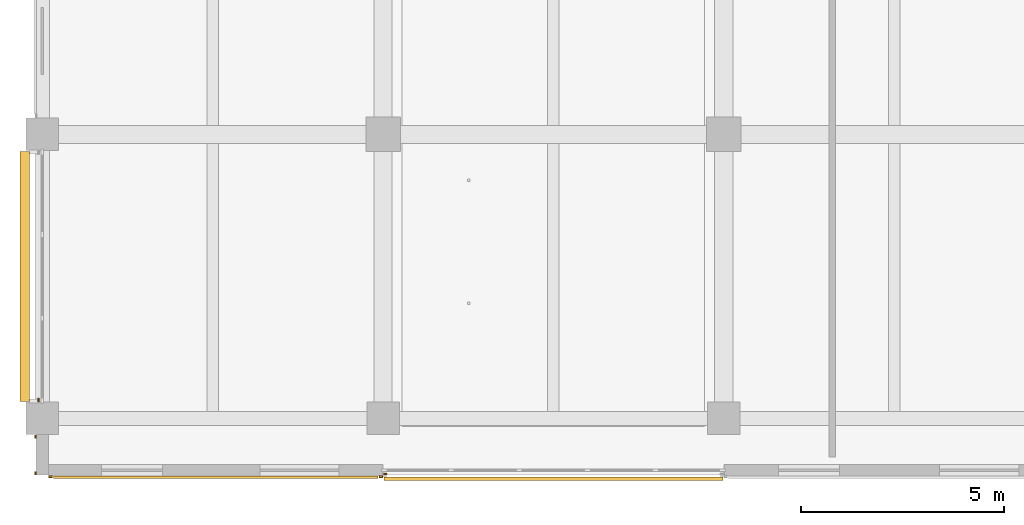
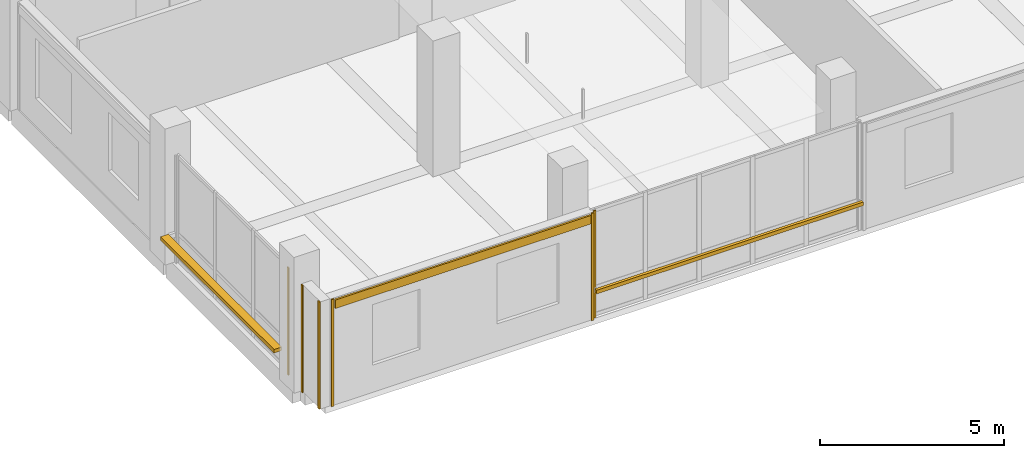
# One storey, part 21 of 36: 7 coverings, 2 shading devices.
"""IFC4 building model written with IfcOpenShell, lengths in metres."""

from ifc_helpers import new_model, si_unit, direction, frame, origin, origin_2d, place, context, subcontext, project, spatial, rectangle, extrude, material, layer, layer_set, type_object, element, save


model = new_model("IFC4")

# Units and contexts
model_context = context("Model", 3, precision=1e-05, world=origin(), true_north=direction((0.0, 1.0)))
body_context = subcontext(model_context, "Body", "Model", "MODEL_VIEW")
ifc_project = project(units=[si_unit("LENGTHUNIT", "METRE"), si_unit("AREAUNIT", "SQUARE_METRE"), si_unit("VOLUMEUNIT", "CUBIC_METRE"), si_unit("PLANEANGLEUNIT", "RADIAN"), si_unit("MASSUNIT", "GRAM", prefix="KILO")], contexts=[model_context])

# Site, building, storey
site_placement = place(None, origin())
site = spatial("IfcSite", under=ifc_project, at=site_placement, CompositionType="ELEMENT")
building_placement = place(site_placement, origin())
building = spatial("IfcBuilding", under=site, at=building_placement, Name="Telukmera Botanical Conservatory", CompositionType="ELEMENT")
storey_placement = place(building_placement, frame((0.0, 0.0, 33.0)))
storey = spatial("IfcBuildingStorey", under=building, at=storey_placement, Name="L07", CompositionType="ELEMENT", Elevation=33.0)

# Coverings
ifc_material_1 = material(Name="Granite-faced precast concrete C40/50", Category="masonry")
ifc_layer_1 = layer(ifc_material_1, 0.0400390625)
ifc_layer_set_1 = layer_set([ifc_layer_1], Name="Granite-faced precast concrete C40/50")
covering_type_1 = type_object("IfcCoveringType", Name="Granite Precast Column Pier Reveal Casing", PredefinedType="CLADDING", material=ifc_layer_set_1)
for number, where, z_axis, x_axis, name in (
    (1, (50.22998046875, 9.25, 0.0), (0.0, 0.0, 1.0), (0.0, 1.0, 0.0), "Granite Pier Reveal V4:L07:SWC L"),
    (2, (50.22998046875, 10.14794921875, 0.0), (0.0, 0.0, 1.0), (0.0, 1.0, 0.0), "Granite Pier Reveal V4:L07:SWC R"),
    (3, (50.60205078125, 9.159912109375, 0.0), (0.0, 0.0, 1.0), (1.0, 0.0, 0.0), "Granite Pier Reveal V4:L07:S1 L"),
    (4, (58.748046875, 9.159912109375, 0.0), (0.0, 0.0, 1.0), (1.0, 0.0, 0.0), "Granite Pier Reveal V4:L07:S1 R"),
    (5, (58.85205078125, 9.22998046875, 0.0), (0.0, 0.0, 1.0), (1.0, 0.0, 0.0), "Granite Pier Reveal V4:L07:S2 L"),
    (6, (50.31005859375, 11.052001953125, 0.0), (0.0, 0.0, 1.0), (0.0, 1.0, 0.0), "Granite Pier Reveal V4:L07:W1 L"),
):
    element("IfcCovering", number, at=place(storey_placement, frame(where, z_axis=z_axis, x_axis=x_axis)), inside=storey, type_object=covering_type_1, Name=name, PredefinedType="CLADDING", context=body_context, shape_type="SweptSolid", body=[
        extrude(rectangle(XDim=0.080078125, YDim=0.0400390625, at=origin_2d()), origin(), (0.0, 0.0, 1.0), 3.550048828125),
    ])

# Shading devices
ifc_material_2 = material(Name="Perforated terracotta-anodised aluminium 6063-T6", Category="masonry")
ifc_layer_2 = layer(ifc_material_2, 0.044921875)
ifc_layer_set_2 = layer_set([ifc_layer_2], Name="Perforated terracotta-anodised aluminium 6063-T6")
shading_device_type = type_object("IfcShadingDeviceType", Name="Perforated Terracotta Aluminium Monsoon Brise Soleil", PredefinedType="JALOUSIE", material=ifc_layer_set_2)
shading_device_1_placement = place(storey_placement, frame((63.0, 9.114990234375, 0.889892578125), z_axis=(0.0, 0.0, 1.0), x_axis=(1.0, 0.0, 0.0)))
element("IfcShadingDevice", 7, at=shading_device_1_placement, inside=storey, type_object=shading_device_type, Name="Monsoon Shading BS01 V4:L07:S2", PredefinedType="JALOUSIE", context=body_context, shape_type="SweptSolid", body=[
    extrude(rectangle(XDim=8.35595703125, YDim=0.090087890625, at=origin_2d()), origin(), (0.0, 0.0, 1.0), 0.1201171875),
])
shading_device_2_placement = place(storey_placement, frame((49.969970703125, 14.10009765625, 0.889892578125), z_axis=(0.0, 0.0, 1.0), x_axis=(0.0, 1.0, 0.0)))
element("IfcShadingDevice", 8, at=shading_device_2_placement, inside=storey, type_object=shading_device_type, Name="Monsoon Shading BS01 V4:L07:W1", PredefinedType="JALOUSIE", context=body_context, shape_type="SweptSolid", body=[
    extrude(rectangle(XDim=6.156005859375, YDim=0.239990234375, at=origin_2d()), origin(), (0.0, 0.0, 1.0), 0.1201171875),
])

# Covering
ifc_material_3 = material(Name="Terracotta-faced precast concrete C40/50", Category="masonry")
ifc_layer_3 = layer(ifc_material_3, 0.06005859375)
ifc_layer_set_3 = layer_set([ifc_layer_3], Name="Terracotta-faced precast concrete C40/50")
covering_type_2 = type_object("IfcCoveringType", Name="Polychrome Terracotta Facade Band Cladding", PredefinedType="CLADDING", material=ifc_layer_set_3)
covering_placement = place(storey_placement, frame((54.675048828125, 9.14990234375, 3.22998046875), z_axis=(0.0, 0.0, 1.0), x_axis=(1.0, 0.0, 0.0)))
element("IfcCovering", 9, at=covering_placement, inside=storey, type_object=covering_type_2, Name="Polychrome Terracotta Band V4:L07:S1", PredefinedType="CLADDING", context=body_context, shape_type="SweptSolid", body=[
    extrude(rectangle(XDim=8.006103515625, YDim=0.06005859375, at=origin_2d()), origin(), (0.0, 0.0, 1.0), 0.280029296875),
])

save(model, "model.ifc")
